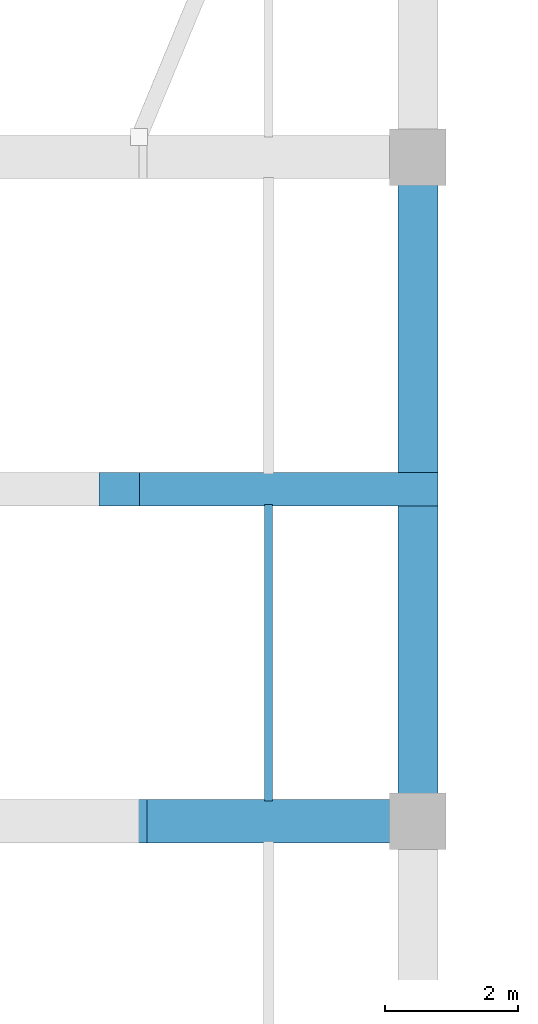
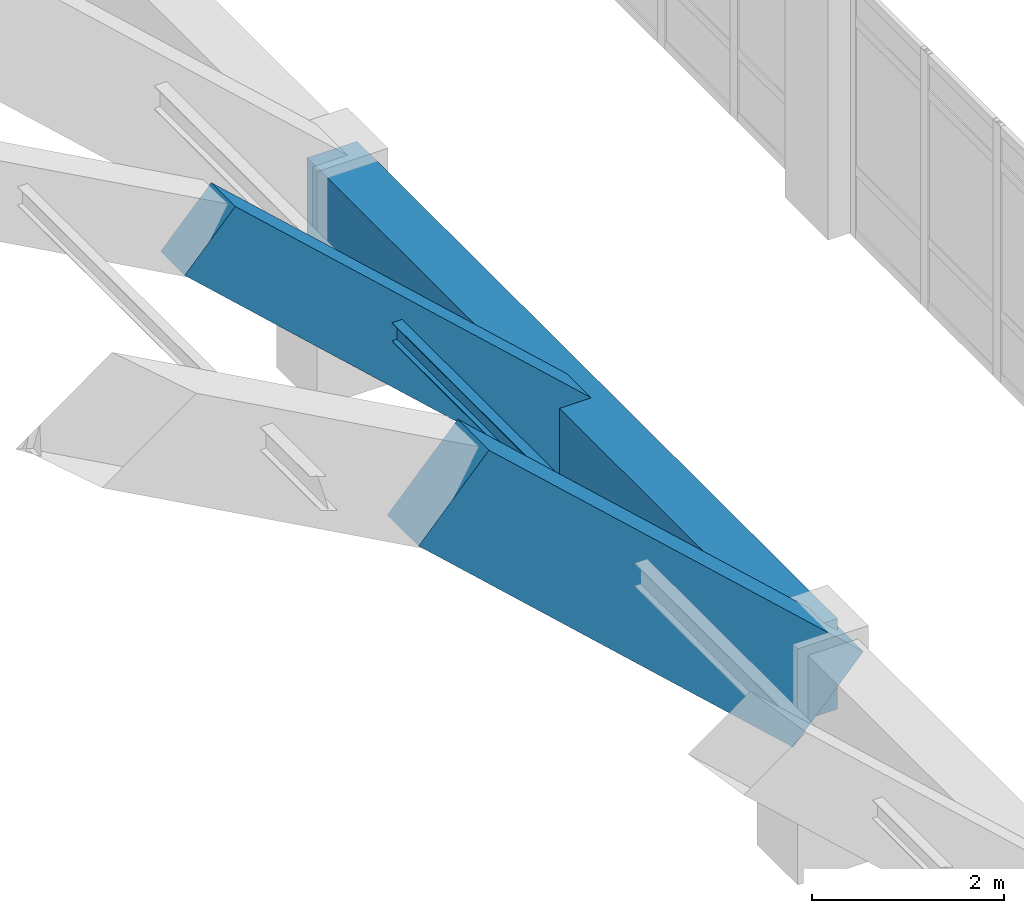
# One storey, part 80 of 111: 3 beams, 1 member.
"""IFC4 building model written with IfcOpenShell, lengths in metres."""

from ifc_helpers import new_model, si_unit, direction, frame, origin, origin_2d, place, context, subcontext, project, spatial, rectangle, i_section, extrude, material, material_profile, profile_set, type_object, element, save


model = new_model("IFC4")

# Units and contexts
model_context = context("Model", 3, precision=1e-05, world=origin(), true_north=direction((0.0, 1.0)))
body_context = subcontext(model_context, "Body", "Model", "MODEL_VIEW")
ifc_project = project(units=[si_unit("LENGTHUNIT", "METRE"), si_unit("AREAUNIT", "SQUARE_METRE"), si_unit("VOLUMEUNIT", "CUBIC_METRE"), si_unit("PLANEANGLEUNIT", "RADIAN"), si_unit("MASSUNIT", "GRAM", prefix="KILO")], contexts=[model_context])

# Site, building, storey
site_placement = place(None, origin())
site = spatial("IfcSite", under=ifc_project, at=site_placement, CompositionType="ELEMENT")
building_placement = place(site_placement, origin())
building = spatial("IfcBuilding", under=site, at=building_placement, Name="Mersad Railyard Sports Hall", CompositionType="ELEMENT")
storey_placement = place(building_placement, frame((0.0, 0.0, 9.0)))
storey = spatial("IfcBuildingStorey", under=building, at=storey_placement, Name="L02", CompositionType="ELEMENT", Elevation=9.0)

# Beams
ifc_material_1 = material(Name="Concrete C50/60", Category="concrete")
ifc_material_profile_1 = material_profile(ifc_material_1, rectangle(XDim=0.60009765625, YDim=1.14990234375, at=origin_2d()), Name="RC 600x1150")
ifc_profile_set_1 = profile_set([ifc_material_profile_1], Name="Concrete C50/60")
beam_type_1 = type_object("IfcBeamType", Name="STR-BM-B05", PredefinedType="BEAM", material=ifc_profile_set_1)
beam_1_placement = place(storey_placement, frame((173.0, 53.5, 2.300048828125), z_axis=(0.0, 1.0, 0.0), x_axis=(-1.0, 0.0, 0.0)))
element("IfcBeam", 1, at=beam_1_placement, inside=storey, type_object=beam_type_1, Name="Beam B05-0716", PredefinedType="BEAM", context=body_context, shape_type="SweptSolid", body=[
    extrude(rectangle(XDim=0.60009765625, YDim=1.14990234375, at=origin_2d()), origin(), (0.0, 0.0, 1.0), 10.0),
])
ifc_material_2 = material(Name="Architectural concrete C50/60", Category="concrete")
ifc_material_profile_2 = material_profile(ifc_material_2, rectangle(XDim=0.64990234375, YDim=1.25, at=origin_2d()), Name="VR 650x1250")
ifc_profile_set_2 = profile_set([ifc_material_profile_2], Name="Architectural concrete C50/60")
beam_type_2 = type_object("IfcBeamType", Name="STR-BM-VR01", PredefinedType="BEAM", material=ifc_profile_set_2)
beam_2_placement = place(storey_placement, frame((168.5, 53.5, 6.2822265625), z_axis=(0.736556702909, 0.0, -0.676375800425), x_axis=(0.0, 1.0, 0.0)))
element("IfcBeam", 2, at=beam_2_placement, inside=storey, type_object=beam_type_2, Name="Beam VR01-0808", PredefinedType="BEAM", context=body_context, shape_type="SweptSolid", body=[
    extrude(rectangle(XDim=0.64990234375, YDim=1.25, at=origin_2d()), origin(), (0.0, 0.0, 1.0), 6.109619140625),
])
ifc_material_profile_3 = material_profile(ifc_material_2, rectangle(XDim=0.5, YDim=0.89990234375, at=origin_2d()), Name="VR 500x900")
ifc_profile_set_3 = profile_set([ifc_material_profile_3], Name="Architectural concrete C50/60")
beam_type_3 = type_object("IfcBeamType", Name="STR-BM-VR02", PredefinedType="BEAM", material=ifc_profile_set_3)
beam_3_placement = place(storey_placement, frame((168.5, 58.5, 6.47216796875), z_axis=(0.736576611143, 0.0, -0.676354120204), x_axis=(0.0, 1.0, 0.0)))
element("IfcBeam", 3, at=beam_3_placement, inside=storey, type_object=beam_type_3, Name="Beam VR02-0816", PredefinedType="BEAM", context=body_context, shape_type="SweptSolid", body=[
    extrude(rectangle(XDim=0.5, YDim=0.89990234375, at=origin_2d()), origin(), (0.0, 0.0, 1.0), 6.109375),
])

# Member
ifc_material_3 = material(Name="Steel S355", Category="steel")
ifc_material_profile_4 = material_profile(ifc_material_3, i_section(OverallWidth=0.1201171875, OverallDepth=0.239990234375, WebThickness=0.006103515625, FlangeThickness=0.009765625, at=origin_2d()), Name="IPE 240")
ifc_profile_set_4 = profile_set([ifc_material_profile_4], Name="Steel S355")
member_type = type_object("IfcMemberType", Name="STR-MEM-PU01", PredefinedType="PURLIN", material=ifc_profile_set_4)
member_placement = place(storey_placement, frame((170.75, 53.804931640625, 4.546142578125), z_axis=(0.0, 1.0, 0.0), x_axis=(-1.0, 0.0, 0.0)))
element("IfcMember", 4, at=member_placement, inside=storey, type_object=member_type, Name="Structural member PU01-0192", PredefinedType="PURLIN", context=body_context, shape_type="SweptSolid", body=[
    extrude(i_section(OverallWidth=0.1201171875, OverallDepth=0.239990234375, WebThickness=0.006103515625, FlangeThickness=0.009765625, at=origin_2d()), origin(), (0.0, 0.0, 1.0), 4.465087890625),
])

save(model, "model.ifc")
